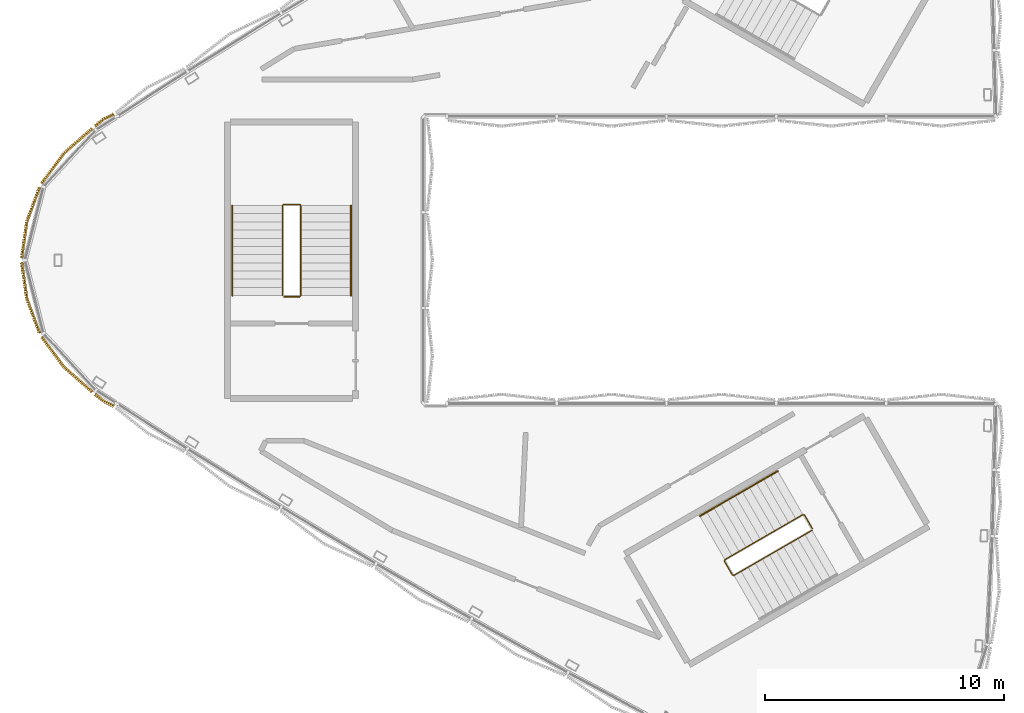
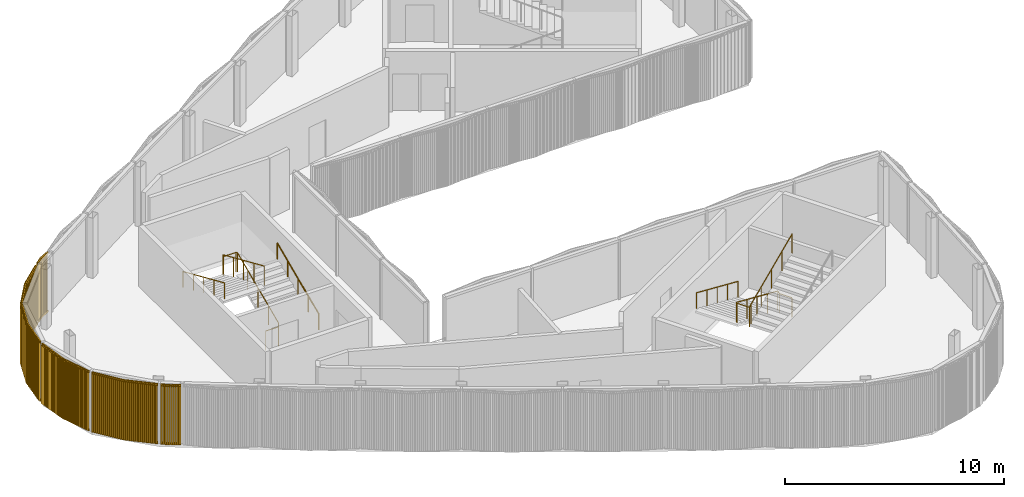
# One storey, part 9 of 16: 6 coverings, 5 railings.
"""IFC4 building model written with IfcOpenShell, lengths in metres."""

from ifc_helpers import new_model, si_unit, direction, frame, frame_2d, origin, origin_2d, place, context, subcontext, project, spatial, rectangle, circle, extrude, source, transform, mapped, material, type_object, element, save


model = new_model("IFC4")

# Units and contexts
model_context = context("Model", 3, precision=1e-05, world=origin(), true_north=direction((0.0, 1.0)))
body_context = subcontext(model_context, "Body", "Model", "MODEL_VIEW")
ifc_project = project(units=[si_unit("LENGTHUNIT", "METRE"), si_unit("AREAUNIT", "SQUARE_METRE"), si_unit("VOLUMEUNIT", "CUBIC_METRE"), si_unit("PLANEANGLEUNIT", "RADIAN"), si_unit("MASSUNIT", "GRAM", prefix="KILO")], contexts=[model_context])

# Site, building, storey
site_placement = place(None, origin())
site = spatial("IfcSite", under=ifc_project, at=site_placement, CompositionType="ELEMENT")
building_placement = place(site_placement, origin())
building = spatial("IfcBuilding", under=site, at=building_placement, Name="Tamra Quay Hotel Tower", CompositionType="ELEMENT")
storey_placement = place(building_placement, frame((0.0, 0.0, 324.199951171875)))
storey = spatial("IfcBuildingStorey", under=building, at=storey_placement, Name="Roof crown 2", CompositionType="ELEMENT", Elevation=324.199951171875)

# Railings
ifc_material_1 = material(Name="Stair guard 1100")
railing_type_1 = type_object("IfcRailingType", Name="Stair guard 1100", PredefinedType="GUARDRAIL", material=ifc_material_1)
railing_1_placement = place(storey_placement, frame((-13.84130859375, -1.530029296875, 0.0)))
element("IfcRailing", 1, at=railing_1_placement, inside=storey, type_object=railing_type_1, Name="GR", PredefinedType="GUARDRAIL", context=body_context, shape_type="SweptSolid", body=[
    extrude(circle(Radius=0.02392578125, at=origin_2d()), frame((0.0, 0.0, 1.076171875), z_axis=(1.0, 0.0, 0.0), x_axis=(0.0, 1.0, 0.0)), (0.0, 0.0, 1.0), 0.658935546875),
    extrude(circle(Radius=0.02392578125, at=origin_2d()), frame((0.658935546875, 0.0, 1.076171875), z_axis=(0.301511344578, 0.301511344578, 0.904534033733), x_axis=(-0.707106781187, 0.707106781187, 0.0)), (0.0, 0.0, 1.0), 0.166015625),
    extrude(circle(Radius=0.02392578125, at=origin_2d()), frame((0.708984375, 0.050048828125, 1.22607421875), z_axis=(0.0, 0.915795495799, 0.401644880304), x_axis=(-1.0, 0.0, 0.0)), (0.0, 0.0, 1.0), 4.10791015625),
    extrude(circle(Radius=0.02392578125, at=origin_2d()), frame((0.708984375, 3.81201171875, 2.8759765625), z_axis=(-0.708833529934, 0.705375805398, 0.0), x_axis=(-0.705375805398, -0.708833529934, 0.0)), (0.0, 0.0, 1.0), 0.070556640625),
    extrude(circle(Radius=0.02392578125, at=origin_2d()), frame((0.658935546875, 3.86181640625, 2.8759765625), z_axis=(-1.0, 0.0, 0.0), x_axis=(0.0, -1.0, 0.0)), (0.0, 0.0, 1.0), 0.658935546875),
    extrude(circle(Radius=0.02392578125, at=origin_2d()), frame((0.0, 3.86181640625, 2.8759765625), z_axis=(-0.302046947789, -0.300573548044, 0.904667443621), x_axis=(0.705375805398, -0.708833529934, 0.0)), (0.0, 0.0, 1.0), 0.165771484375),
    extrude(circle(Radius=0.02392578125, at=origin_2d()), frame((-0.050048828125, 3.81201171875, 3.02587890625), z_axis=(0.0, -0.915773634228, 0.401694723457), x_axis=(1.0, 0.0, 0.0)), (0.0, 0.0, 1.0), 4.10791015625),
    extrude(circle(Radius=0.02099609375, at=origin_2d()), origin(), (0.0, 0.0, 1.0), 1.052001953125),
    extrude(circle(Radius=0.02099609375, at=origin_2d()), frame((0.658935546875, 0.0, 0.0)), (0.0, 0.0, 1.0), 1.052001953125),
    extrude(circle(Radius=0.02099609375, at=origin_2d()), frame((0.708984375, 0.050048828125, 0.150146484375)), (0.0, 0.0, 1.0), 1.052001953125),
    extrude(circle(Radius=0.02099609375, at=origin_2d()), frame((0.708984375, 0.990478515625, 0.5625)), (0.0, 0.0, 1.0), 1.052001953125),
    extrude(circle(Radius=0.02099609375, at=origin_2d()), frame((0.708984375, 1.93115234375, 0.97509765625)), (0.0, 0.0, 1.0), 1.052001953125),
    extrude(circle(Radius=0.02099609375, at=origin_2d()), frame((0.708984375, 2.87158203125, 1.3876953125)), (0.0, 0.0, 1.0), 1.052001953125),
    extrude(circle(Radius=0.02099609375, at=origin_2d()), frame((0.708984375, 3.81201171875, 1.800048828125)), (0.0, 0.0, 1.0), 1.052001953125),
    extrude(circle(Radius=0.02099609375, at=origin_2d()), frame((0.658935546875, 3.86181640625, 1.800048828125)), (0.0, 0.0, 1.0), 1.052001953125),
    extrude(circle(Radius=0.02099609375, at=origin_2d()), frame((0.0, 3.86181640625, 1.800048828125)), (0.0, 0.0, 1.0), 1.052001953125),
    extrude(circle(Radius=0.02099609375, at=origin_2d()), frame((-0.050048828125, 3.81201171875, 1.949951171875)), (0.0, 0.0, 1.0), 1.052001953125),
    extrude(circle(Radius=0.02099609375, at=origin_2d()), frame((-0.050048828125, 2.87158203125, 2.362548828125)), (0.0, 0.0, 1.0), 1.052001953125),
    extrude(circle(Radius=0.02099609375, at=origin_2d()), frame((-0.050048828125, 1.93115234375, 2.77490234375)), (0.0, 0.0, 1.0), 1.052001953125),
    extrude(circle(Radius=0.02099609375, at=origin_2d()), frame((-0.050048828125, 0.990478515625, 3.1875)), (0.0, 0.0, 1.0), 1.052001953125),
    extrude(circle(Radius=0.02099609375, at=origin_2d()), frame((-0.050048828125, 0.050048828125, 3.60009765625)), (0.0, 0.0, 1.0), 1.052001953125),
])
railing_2_placement = place(storey_placement, frame((8.245849609375, -11.221923828125, 0.0)))
element("IfcRailing", 2, at=railing_2_placement, inside=storey, type_object=railing_type_1, Name="GR", PredefinedType="GUARDRAIL", context=body_context, shape_type="SweptSolid", body=[
    extrude(circle(Radius=0.02392578125, at=origin_2d()), frame((0.0, 0.0, 1.076171875), z_axis=(-0.500043078269, 0.866000531106, 0.0), x_axis=(-0.866000531106, -0.500043078269, 0.0)), (0.0, 0.0, 1.0), 0.6591796875),
    extrude(circle(Radius=0.02392578125, at=origin_2d()), frame((-0.32958984375, 0.57080078125, 1.076171875), z_axis=(-0.411831509231, 0.110312011401, 0.90455849349), x_axis=(-0.258736085224, -0.965948051503, 0.0)), (0.0, 0.0, 1.0), 0.166015625),
    extrude(circle(Radius=0.02392578125, at=origin_2d()), frame((-0.39794921875, 0.589111328125, 1.22607421875), z_axis=(-0.793100512587, -0.457912285461, 0.401631567183), x_axis=(0.500012686397, -0.866018079166, 0.0)), (0.0, 0.0, 1.0), 4.10791015625),
    extrude(circle(Radius=0.02392578125, at=origin_2d()), frame((-3.656005859375, -1.2919921875, 2.8759765625), z_axis=(-0.256368644879, -0.966579080015, 0.0), x_axis=(0.966579080015, -0.256368644879, 0.0)), (0.0, 0.0, 1.0), 0.070556640625),
    extrude(circle(Radius=0.02392578125, at=origin_2d()), frame((-3.674072265625, -1.360107421875, 2.8759765625), z_axis=(0.499765215335, -0.866160914346, 0.0), x_axis=(0.866160914346, 0.499765215335, 0.0)), (0.0, 0.0, 1.0), 0.658935546875),
    extrude(circle(Radius=0.02392578125, at=origin_2d()), frame((-3.3447265625, -1.930908203125, 2.8759765625), z_axis=(0.41238007866, -0.110458949641, 0.904290601062), x_axis=(0.258736085224, 0.965948051503, 0.0)), (0.0, 0.0, 1.0), 0.165771484375),
    extrude(circle(Radius=0.02392578125, at=origin_2d()), frame((-3.2763671875, -1.94921875, 3.02587890625), z_axis=(0.793081581205, 0.457901355053, 0.401681409319), x_axis=(-0.500012686397, 0.866018079166, 0.0)), (0.0, 0.0, 1.0), 4.108154296875),
    extrude(circle(Radius=0.02099609375, at=origin_2d()), origin(), (0.0, 0.0, 1.0), 1.052001953125),
    extrude(circle(Radius=0.02099609375, at=origin_2d()), frame((-0.32958984375, 0.57080078125, 0.0)), (0.0, 0.0, 1.0), 1.052001953125),
    extrude(circle(Radius=0.02099609375, at=origin_2d()), frame((-0.39794921875, 0.589111328125, 0.150146484375)), (0.0, 0.0, 1.0), 1.052001953125),
    extrude(circle(Radius=0.02099609375, at=origin_2d()), frame((-1.21240234375, 0.118896484375, 0.5625)), (0.0, 0.0, 1.0), 1.052001953125),
    extrude(circle(Radius=0.02099609375, at=origin_2d()), frame((-2.02685546875, -0.3515625, 0.97509765625)), (0.0, 0.0, 1.0), 1.052001953125),
    extrude(circle(Radius=0.02099609375, at=origin_2d()), frame((-2.841552734375, -0.82177734375, 1.3876953125)), (0.0, 0.0, 1.0), 1.052001953125),
    extrude(circle(Radius=0.02099609375, at=origin_2d()), frame((-3.656005859375, -1.2919921875, 1.800048828125)), (0.0, 0.0, 1.0), 1.052001953125),
    extrude(circle(Radius=0.02099609375, at=origin_2d()), frame((-3.674072265625, -1.360107421875, 1.800048828125)), (0.0, 0.0, 1.0), 1.052001953125),
    extrude(circle(Radius=0.02099609375, at=origin_2d()), frame((-3.3447265625, -1.930908203125, 1.800048828125)), (0.0, 0.0, 1.0), 1.052001953125),
    extrude(circle(Radius=0.02099609375, at=origin_2d()), frame((-3.2763671875, -1.94921875, 1.949951171875)), (0.0, 0.0, 1.0), 1.052001953125),
    extrude(circle(Radius=0.02099609375, at=origin_2d()), frame((-2.4619140625, -1.47900390625, 2.362548828125)), (0.0, 0.0, 1.0), 1.052001953125),
    extrude(circle(Radius=0.02099609375, at=origin_2d()), frame((-1.6474609375, -1.0087890625, 2.77490234375)), (0.0, 0.0, 1.0), 1.052001953125),
    extrude(circle(Radius=0.02099609375, at=origin_2d()), frame((-0.832763671875, -0.538330078125, 3.1875)), (0.0, 0.0, 1.0), 1.052001953125),
    extrude(circle(Radius=0.02099609375, at=origin_2d()), frame((-0.018310546875, -0.068115234375, 3.60009765625)), (0.0, 0.0, 1.0), 1.052001953125),
])
ifc_material_2 = material(Name="Stair handrail 900")
railing_type_2 = type_object("IfcRailingType", Name="Stair handrail 900", PredefinedType="HANDRAIL", material=ifc_material_2)
railing_3_placement = place(storey_placement, frame((-11.0322265625, -1.47998046875, 0.150146484375)))
element("IfcRailing", 3, at=railing_3_placement, inside=storey, type_object=railing_type_2, Name="HR", PredefinedType="HANDRAIL", context=body_context, shape_type="SweptSolid", body=[
    extrude(circle(Radius=0.02392578125, at=origin_2d()), frame((0.0, 0.0, 0.8759765625), z_axis=(0.0, 0.915795495799, 0.401644880304), x_axis=(-1.0, 0.0, 0.0)), (0.0, 0.0, 1.0), 4.10791015625),
    extrude(circle(Radius=0.02099609375, at=origin_2d()), origin(), (0.0, 0.0, 1.0), 0.851806640625),
    extrude(circle(Radius=0.02099609375, at=origin_2d()), frame((0.0, 0.9404296875, 0.41259765625)), (0.0, 0.0, 1.0), 0.851806640625),
    extrude(circle(Radius=0.02099609375, at=origin_2d()), frame((0.0, 1.880859375, 0.824951171875)), (0.0, 0.0, 1.0), 0.851806640625),
    extrude(circle(Radius=0.02099609375, at=origin_2d()), frame((0.0, 2.821533203125, 1.2373046875)), (0.0, 0.0, 1.0), 0.851806640625),
    extrude(circle(Radius=0.02099609375, at=origin_2d()), frame((0.0, 3.761962890625, 1.64990234375)), (0.0, 0.0, 1.0), 0.851806640625),
])
railing_4_placement = place(storey_placement, frame((-15.9912109375, 2.281982421875, 1.949951171875)))
element("IfcRailing", 4, at=railing_4_placement, inside=storey, type_object=railing_type_2, Name="HR", PredefinedType="HANDRAIL", context=body_context, shape_type="SweptSolid", body=[
    extrude(circle(Radius=0.02392578125, at=origin_2d()), frame((0.0, 0.0, 0.8759765625), z_axis=(0.0, -0.915773634228, 0.401694723457), x_axis=(1.0, 0.0, 0.0)), (0.0, 0.0, 1.0), 4.10791015625),
    extrude(circle(Radius=0.02099609375, at=origin_2d()), origin(), (0.0, 0.0, 1.0), 0.851806640625),
    extrude(circle(Radius=0.02099609375, at=origin_2d()), frame((0.0, -0.9404296875, 0.41259765625)), (0.0, 0.0, 1.0), 0.851806640625),
    extrude(circle(Radius=0.02099609375, at=origin_2d()), frame((0.0, -1.880859375, 0.8251953125)), (0.0, 0.0, 1.0), 0.851806640625),
    extrude(circle(Radius=0.02099609375, at=origin_2d()), frame((0.0, -2.821533203125, 1.237548828125)), (0.0, 0.0, 1.0), 0.851806640625),
    extrude(circle(Radius=0.02099609375, at=origin_2d()), frame((0.0, -3.761962890625, 1.650146484375)), (0.0, 0.0, 1.0), 0.851806640625),
])
railing_5_placement = place(storey_placement, frame((6.7978515625, -8.814208984375, 0.150146484375)))
element("IfcRailing", 5, at=railing_5_placement, inside=storey, type_object=railing_type_2, Name="HR", PredefinedType="HANDRAIL", context=body_context, shape_type="SweptSolid", body=[
    extrude(circle(Radius=0.02392578125, at=origin_2d()), frame((0.0, 0.0, 0.8759765625), z_axis=(-0.79310004713, -0.457886897714, 0.401661429744), x_axis=(0.499992114976, -0.866029956157, 0.0)), (0.0, 0.0, 1.0), 4.107666015625),
    extrude(circle(Radius=0.02099609375, at=origin_2d()), origin(), (0.0, 0.0, 1.0), 0.851806640625),
    extrude(circle(Radius=0.02099609375, at=origin_2d()), frame((-0.814453125, -0.47021484375, 0.41259765625)), (0.0, 0.0, 1.0), 0.851806640625),
    extrude(circle(Radius=0.02099609375, at=origin_2d()), frame((-1.62890625, -0.9404296875, 0.824951171875)), (0.0, 0.0, 1.0), 0.851806640625),
    extrude(circle(Radius=0.02099609375, at=origin_2d()), frame((-2.443359375, -1.41064453125, 1.2373046875)), (0.0, 0.0, 1.0), 0.851806640625),
    extrude(circle(Radius=0.02099609375, at=origin_2d()), frame((-3.2578125, -1.880859375, 1.64990234375)), (0.0, 0.0, 1.0), 0.851806640625),
])

# Coverings
ifc_material_3 = material(Name="Terracotta baguette extruded", Category="masonry")
covering_type = type_object("IfcCoveringType", Name="BAGUETTE SCREEN CROWN H3350", PredefinedType="USERDEFINED", material=ifc_material_3)
shared_shape_1 = source(origin(), body_context, "Body", "SweptSolid", [
    extrude(rectangle(XDim=1.5810546875, YDim=0.06005859375, at=frame_2d((0.79052734375, 0.030029296875))), frame((-1.578857421875, -0.0576171875, -0.1201171875), z_axis=(0.0, 0.0, 1.0), x_axis=(0.994521895368, -0.104528463268, 0.0)), (0.0, 0.0, 1.0), 0.1201171875),
    extrude(rectangle(XDim=1.5810546875, YDim=0.06005859375, at=frame_2d((0.79052734375, 0.030029296875))), frame((-1.578857421875, -0.0576171875, -3.35009765625), z_axis=(0.0, 0.0, 1.0), x_axis=(0.994521895368, -0.104528463268, 0.0)), (0.0, 0.0, 1.0), 0.1201171875),
    extrude(rectangle(XDim=0.070068359375, YDim=0.10009765625, at=frame_2d((0.03515625, 0.050048828125))), frame((-1.558349609375, -0.133056640625, -3.2900390625)), (0.0, 0.0, 1.0), 3.22998046875),
    extrude(rectangle(XDim=0.070068359375, YDim=0.10009765625, at=frame_2d((0.03515625, 0.050048828125))), frame((-1.4599609375, -0.1435546875, -3.2900390625)), (0.0, 0.0, 1.0), 3.22998046875),
    extrude(rectangle(XDim=0.070068359375, YDim=0.10009765625, at=frame_2d((0.03515625, 0.050048828125))), frame((-1.36181640625, -0.15380859375, -3.2900390625)), (0.0, 0.0, 1.0), 3.22998046875),
    extrude(rectangle(XDim=0.070068359375, YDim=0.10009765625, at=frame_2d((0.03515625, 0.050048828125))), frame((-1.263427734375, -0.1640625, -3.2900390625)), (0.0, 0.0, 1.0), 3.22998046875),
    extrude(rectangle(XDim=0.070068359375, YDim=0.10009765625, at=frame_2d((0.03515625, 0.050048828125))), frame((-1.165283203125, -0.174560546875, -3.2900390625)), (0.0, 0.0, 1.0), 3.22998046875),
    extrude(rectangle(XDim=0.070068359375, YDim=0.10009765625, at=frame_2d((0.03515625, 0.050048828125))), frame((-1.06689453125, -0.184814453125, -3.2900390625)), (0.0, 0.0, 1.0), 3.22998046875),
    extrude(rectangle(XDim=0.070068359375, YDim=0.10009765625, at=frame_2d((0.03515625, 0.050048828125))), frame((-0.96875, -0.195068359375, -3.2900390625)), (0.0, 0.0, 1.0), 3.22998046875),
    extrude(rectangle(XDim=0.070068359375, YDim=0.10009765625, at=frame_2d((0.03515625, 0.050048828125))), frame((-0.870361328125, -0.20556640625, -3.2900390625)), (0.0, 0.0, 1.0), 3.22998046875),
    extrude(rectangle(XDim=0.070068359375, YDim=0.10009765625, at=frame_2d((0.03515625, 0.050048828125))), frame((-0.772216796875, -0.2158203125, -3.2900390625)), (0.0, 0.0, 1.0), 3.22998046875),
    extrude(rectangle(XDim=0.070068359375, YDim=0.10009765625, at=frame_2d((0.03515625, 0.050048828125))), frame((-0.673828125, -0.22607421875, -3.2900390625)), (0.0, 0.0, 1.0), 3.22998046875),
    extrude(rectangle(XDim=0.070068359375, YDim=0.10009765625, at=frame_2d((0.03515625, 0.050048828125))), frame((-0.575439453125, -0.236572265625, -3.2900390625)), (0.0, 0.0, 1.0), 3.22998046875),
    extrude(rectangle(XDim=0.070068359375, YDim=0.10009765625, at=frame_2d((0.03515625, 0.050048828125))), frame((-0.477294921875, -0.246826171875, -3.2900390625)), (0.0, 0.0, 1.0), 3.22998046875),
    extrude(rectangle(XDim=0.070068359375, YDim=0.10009765625, at=frame_2d((0.03515625, 0.050048828125))), frame((-0.37890625, -0.257080078125, -3.2900390625)), (0.0, 0.0, 1.0), 3.22998046875),
    extrude(rectangle(XDim=0.070068359375, YDim=0.10009765625, at=frame_2d((0.03515625, 0.050048828125))), frame((-0.28076171875, -0.267333984375, -3.2900390625)), (0.0, 0.0, 1.0), 3.22998046875),
    extrude(rectangle(XDim=0.070068359375, YDim=0.10009765625, at=frame_2d((0.03515625, 0.050048828125))), frame((-0.182373046875, -0.27783203125, -3.2900390625)), (0.0, 0.0, 1.0), 3.22998046875),
    extrude(rectangle(XDim=0.070068359375, YDim=0.10009765625, at=frame_2d((0.03515625, 0.050048828125))), frame((-0.084228515625, -0.2880859375, -3.2900390625)), (0.0, 0.0, 1.0), 3.22998046875),
    extrude(rectangle(XDim=1.5810546875, YDim=0.06005859375, at=frame_2d((0.79052734375, 0.030029296875))), frame((0.00634765625, -0.222900390625, -0.1201171875), z_axis=(0.0, 0.0, 1.0), x_axis=(0.994521895368, 0.104528463268, 0.0)), (0.0, 0.0, 1.0), 0.1201171875),
    extrude(rectangle(XDim=1.5810546875, YDim=0.06005859375, at=frame_2d((0.79052734375, 0.030029296875))), frame((0.00634765625, -0.222900390625, -3.35009765625), z_axis=(0.0, 0.0, 1.0), x_axis=(0.994521895368, 0.104528463268, 0.0)), (0.0, 0.0, 1.0), 0.1201171875),
    extrude(rectangle(XDim=0.070068359375, YDim=0.10009765625, at=frame_2d((0.03515625, 0.050048828125))), frame((0.01416015625, -0.2880859375, -3.2900390625)), (0.0, 0.0, 1.0), 3.22998046875),
    extrude(rectangle(XDim=0.070068359375, YDim=0.10009765625, at=frame_2d((0.03515625, 0.050048828125))), frame((0.1123046875, -0.27783203125, -3.2900390625)), (0.0, 0.0, 1.0), 3.22998046875),
    extrude(rectangle(XDim=0.070068359375, YDim=0.10009765625, at=frame_2d((0.03515625, 0.050048828125))), frame((0.210693359375, -0.267333984375, -3.2900390625)), (0.0, 0.0, 1.0), 3.22998046875),
    extrude(rectangle(XDim=0.070068359375, YDim=0.10009765625, at=frame_2d((0.03515625, 0.050048828125))), frame((0.30908203125, -0.257080078125, -3.2900390625)), (0.0, 0.0, 1.0), 3.22998046875),
    extrude(rectangle(XDim=0.070068359375, YDim=0.10009765625, at=frame_2d((0.03515625, 0.050048828125))), frame((0.4072265625, -0.246826171875, -3.2900390625)), (0.0, 0.0, 1.0), 3.22998046875),
    extrude(rectangle(XDim=0.070068359375, YDim=0.10009765625, at=frame_2d((0.03515625, 0.050048828125))), frame((0.505615234375, -0.236572265625, -3.2900390625)), (0.0, 0.0, 1.0), 3.22998046875),
    extrude(rectangle(XDim=0.070068359375, YDim=0.10009765625, at=frame_2d((0.03515625, 0.050048828125))), frame((0.603759765625, -0.22607421875, -3.2900390625)), (0.0, 0.0, 1.0), 3.22998046875),
    extrude(rectangle(XDim=0.070068359375, YDim=0.10009765625, at=frame_2d((0.03515625, 0.050048828125))), frame((0.7021484375, -0.2158203125, -3.2900390625)), (0.0, 0.0, 1.0), 3.22998046875),
    extrude(rectangle(XDim=0.070068359375, YDim=0.10009765625, at=frame_2d((0.03515625, 0.050048828125))), frame((0.80029296875, -0.20556640625, -3.2900390625)), (0.0, 0.0, 1.0), 3.22998046875),
    extrude(rectangle(XDim=0.070068359375, YDim=0.10009765625, at=frame_2d((0.03515625, 0.050048828125))), frame((0.898681640625, -0.195068359375, -3.2900390625)), (0.0, 0.0, 1.0), 3.22998046875),
    extrude(rectangle(XDim=0.070068359375, YDim=0.10009765625, at=frame_2d((0.03515625, 0.050048828125))), frame((0.9970703125, -0.184814453125, -3.2900390625)), (0.0, 0.0, 1.0), 3.22998046875),
    extrude(rectangle(XDim=0.070068359375, YDim=0.10009765625, at=frame_2d((0.03515625, 0.050048828125))), frame((1.09521484375, -0.174560546875, -3.2900390625)), (0.0, 0.0, 1.0), 3.22998046875),
    extrude(rectangle(XDim=0.070068359375, YDim=0.10009765625, at=frame_2d((0.03515625, 0.050048828125))), frame((1.193603515625, -0.1640625, -3.2900390625)), (0.0, 0.0, 1.0), 3.22998046875),
    extrude(rectangle(XDim=0.070068359375, YDim=0.10009765625, at=frame_2d((0.03515625, 0.050048828125))), frame((1.291748046875, -0.15380859375, -3.2900390625)), (0.0, 0.0, 1.0), 3.22998046875),
    extrude(rectangle(XDim=0.070068359375, YDim=0.10009765625, at=frame_2d((0.03515625, 0.050048828125))), frame((1.39013671875, -0.1435546875, -3.2900390625)), (0.0, 0.0, 1.0), 3.22998046875),
    extrude(rectangle(XDim=0.070068359375, YDim=0.10009765625, at=frame_2d((0.03515625, 0.050048828125))), frame((1.48828125, -0.133056640625, -3.2900390625)), (0.0, 0.0, 1.0), 3.22998046875),
])
for number, where, z_axis, x_axis, name in (
    (6, (-22.856201171875, 4.316650390625, 3.35009765625), (0.0, 0.0, 1.0), (-0.67737593284, -0.735637033875, 0.0), "Baguette screen Roof crown 2.C.f11"),
    (7, (-22.856201171875, -4.316650390625, 3.35009765625), (0.0, 0.0, 1.0), (0.67737593284, -0.735637033875, 0.0), "Baguette screen Roof crown 2.C.f14"),
):
    element("IfcCovering", number, at=place(storey_placement, frame(where, z_axis=z_axis, x_axis=x_axis)), inside=storey, type_object=covering_type, Name=name, ObjectType="BAGUETTE SCREEN", PredefinedType="USERDEFINED", context=body_context, shape_type="MappedRepresentation", body=[
        mapped(shared_shape_1, transform((0.0, 0.0, 0.0), scale=1.0)),
    ])
shared_shape_2 = source(origin(), body_context, "Body", "SweptSolid", [
    extrude(rectangle(XDim=1.541015625, YDim=0.06005859375, at=frame_2d((0.7705078125, 0.030029296875))), frame((-1.538818359375, -0.0576171875, -0.1201171875), z_axis=(0.0, 0.0, 1.0), x_axis=(0.994521895368, -0.104528463268, 0.0)), (0.0, 0.0, 1.0), 0.1201171875),
    extrude(rectangle(XDim=1.541015625, YDim=0.06005859375, at=frame_2d((0.7705078125, 0.030029296875))), frame((-1.538818359375, -0.0576171875, -3.35009765625), z_axis=(0.0, 0.0, 1.0), x_axis=(0.994521895368, -0.104528463268, 0.0)), (0.0, 0.0, 1.0), 0.1201171875),
    extrude(rectangle(XDim=0.070068359375, YDim=0.10009765625, at=frame_2d((0.03515625, 0.050048828125))), frame((-1.516357421875, -0.13330078125, -3.2900390625)), (0.0, 0.0, 1.0), 3.22998046875),
    extrude(rectangle(XDim=0.070068359375, YDim=0.10009765625, at=frame_2d((0.03515625, 0.050048828125))), frame((-1.414306640625, -0.14404296875, -3.2900390625)), (0.0, 0.0, 1.0), 3.22998046875),
    extrude(rectangle(XDim=0.070068359375, YDim=0.10009765625, at=frame_2d((0.03515625, 0.050048828125))), frame((-1.31201171875, -0.15478515625, -3.2900390625)), (0.0, 0.0, 1.0), 3.22998046875),
    extrude(rectangle(XDim=0.070068359375, YDim=0.10009765625, at=frame_2d((0.03515625, 0.050048828125))), frame((-1.2099609375, -0.16552734375, -3.2900390625)), (0.0, 0.0, 1.0), 3.22998046875),
    extrude(rectangle(XDim=0.070068359375, YDim=0.10009765625, at=frame_2d((0.03515625, 0.050048828125))), frame((-1.107666015625, -0.17626953125, -3.2900390625)), (0.0, 0.0, 1.0), 3.22998046875),
    extrude(rectangle(XDim=0.070068359375, YDim=0.10009765625, at=frame_2d((0.03515625, 0.050048828125))), frame((-1.005615234375, -0.18701171875, -3.2900390625)), (0.0, 0.0, 1.0), 3.22998046875),
    extrude(rectangle(XDim=0.070068359375, YDim=0.10009765625, at=frame_2d((0.03515625, 0.050048828125))), frame((-0.9033203125, -0.19775390625, -3.2900390625)), (0.0, 0.0, 1.0), 3.22998046875),
    extrude(rectangle(XDim=0.070068359375, YDim=0.10009765625, at=frame_2d((0.03515625, 0.050048828125))), frame((-0.80126953125, -0.20849609375, -3.2900390625)), (0.0, 0.0, 1.0), 3.22998046875),
    extrude(rectangle(XDim=0.070068359375, YDim=0.10009765625, at=frame_2d((0.03515625, 0.050048828125))), frame((-0.698974609375, -0.21923828125, -3.2900390625)), (0.0, 0.0, 1.0), 3.22998046875),
    extrude(rectangle(XDim=0.070068359375, YDim=0.10009765625, at=frame_2d((0.03515625, 0.050048828125))), frame((-0.596923828125, -0.22998046875, -3.2900390625)), (0.0, 0.0, 1.0), 3.22998046875),
    extrude(rectangle(XDim=0.070068359375, YDim=0.10009765625, at=frame_2d((0.03515625, 0.050048828125))), frame((-0.49462890625, -0.24072265625, -3.2900390625)), (0.0, 0.0, 1.0), 3.22998046875),
    extrude(rectangle(XDim=0.070068359375, YDim=0.10009765625, at=frame_2d((0.03515625, 0.050048828125))), frame((-0.392578125, -0.25146484375, -3.2900390625)), (0.0, 0.0, 1.0), 3.22998046875),
    extrude(rectangle(XDim=0.070068359375, YDim=0.10009765625, at=frame_2d((0.03515625, 0.050048828125))), frame((-0.29052734375, -0.26220703125, -3.2900390625)), (0.0, 0.0, 1.0), 3.22998046875),
    extrude(rectangle(XDim=0.070068359375, YDim=0.10009765625, at=frame_2d((0.03515625, 0.050048828125))), frame((-0.188232421875, -0.27294921875, -3.2900390625)), (0.0, 0.0, 1.0), 3.22998046875),
    extrude(rectangle(XDim=0.070068359375, YDim=0.10009765625, at=frame_2d((0.03515625, 0.050048828125))), frame((-0.086181640625, -0.28369140625, -3.2900390625)), (0.0, 0.0, 1.0), 3.22998046875),
    extrude(rectangle(XDim=1.541015625, YDim=0.06005859375, at=frame_2d((0.7705078125, 0.030029296875))), frame((0.00634765625, -0.21875, -0.1201171875), z_axis=(0.0, 0.0, 1.0), x_axis=(0.994521895368, 0.104528463268, 0.0)), (0.0, 0.0, 1.0), 0.1201171875),
    extrude(rectangle(XDim=1.541015625, YDim=0.06005859375, at=frame_2d((0.7705078125, 0.030029296875))), frame((0.00634765625, -0.21875, -3.35009765625), z_axis=(0.0, 0.0, 1.0), x_axis=(0.994521895368, 0.104528463268, 0.0)), (0.0, 0.0, 1.0), 0.1201171875),
    extrude(rectangle(XDim=0.070068359375, YDim=0.10009765625, at=frame_2d((0.03515625, 0.050048828125))), frame((0.01611328125, -0.28369140625, -3.2900390625)), (0.0, 0.0, 1.0), 3.22998046875),
    extrude(rectangle(XDim=0.070068359375, YDim=0.10009765625, at=frame_2d((0.03515625, 0.050048828125))), frame((0.1181640625, -0.27294921875, -3.2900390625)), (0.0, 0.0, 1.0), 3.22998046875),
    extrude(rectangle(XDim=0.070068359375, YDim=0.10009765625, at=frame_2d((0.03515625, 0.050048828125))), frame((0.220458984375, -0.26220703125, -3.2900390625)), (0.0, 0.0, 1.0), 3.22998046875),
    extrude(rectangle(XDim=0.070068359375, YDim=0.10009765625, at=frame_2d((0.03515625, 0.050048828125))), frame((0.322509765625, -0.25146484375, -3.2900390625)), (0.0, 0.0, 1.0), 3.22998046875),
    extrude(rectangle(XDim=0.070068359375, YDim=0.10009765625, at=frame_2d((0.03515625, 0.050048828125))), frame((0.4248046875, -0.24072265625, -3.2900390625)), (0.0, 0.0, 1.0), 3.22998046875),
    extrude(rectangle(XDim=0.070068359375, YDim=0.10009765625, at=frame_2d((0.03515625, 0.050048828125))), frame((0.52685546875, -0.22998046875, -3.2900390625)), (0.0, 0.0, 1.0), 3.22998046875),
    extrude(rectangle(XDim=0.070068359375, YDim=0.10009765625, at=frame_2d((0.03515625, 0.050048828125))), frame((0.629150390625, -0.21923828125, -3.2900390625)), (0.0, 0.0, 1.0), 3.22998046875),
    extrude(rectangle(XDim=0.070068359375, YDim=0.10009765625, at=frame_2d((0.03515625, 0.050048828125))), frame((0.731201171875, -0.20849609375, -3.2900390625)), (0.0, 0.0, 1.0), 3.22998046875),
    extrude(rectangle(XDim=0.070068359375, YDim=0.10009765625, at=frame_2d((0.03515625, 0.050048828125))), frame((0.83349609375, -0.19775390625, -3.2900390625)), (0.0, 0.0, 1.0), 3.22998046875),
    extrude(rectangle(XDim=0.070068359375, YDim=0.10009765625, at=frame_2d((0.03515625, 0.050048828125))), frame((0.935546875, -0.18701171875, -3.2900390625)), (0.0, 0.0, 1.0), 3.22998046875),
    extrude(rectangle(XDim=0.070068359375, YDim=0.10009765625, at=frame_2d((0.03515625, 0.050048828125))), frame((1.037841796875, -0.17626953125, -3.2900390625)), (0.0, 0.0, 1.0), 3.22998046875),
    extrude(rectangle(XDim=0.070068359375, YDim=0.10009765625, at=frame_2d((0.03515625, 0.050048828125))), frame((1.139892578125, -0.16552734375, -3.2900390625)), (0.0, 0.0, 1.0), 3.22998046875),
    extrude(rectangle(XDim=0.070068359375, YDim=0.10009765625, at=frame_2d((0.03515625, 0.050048828125))), frame((1.2421875, -0.15478515625, -3.2900390625)), (0.0, 0.0, 1.0), 3.22998046875),
    extrude(rectangle(XDim=0.070068359375, YDim=0.10009765625, at=frame_2d((0.03515625, 0.050048828125))), frame((1.34423828125, -0.14404296875, -3.2900390625)), (0.0, 0.0, 1.0), 3.22998046875),
    extrude(rectangle(XDim=0.070068359375, YDim=0.10009765625, at=frame_2d((0.03515625, 0.050048828125))), frame((1.446533203125, -0.13330078125, -3.2900390625)), (0.0, 0.0, 1.0), 3.22998046875),
])
for number, where, z_axis, x_axis, name in (
    (8, (-24.36181640625, 1.5546875, 3.35009765625), (0.0, 0.0, 1.0), (-0.245526933255, -0.969389769415, 0.0), "Baguette screen Roof crown 2.C.f12"),
    (9, (-24.36181640625, -1.5546875, 3.35009765625), (0.0, 0.0, 1.0), (0.245526933255, -0.969389769415, 0.0), "Baguette screen Roof crown 2.C.f13"),
):
    element("IfcCovering", number, at=place(storey_placement, frame(where, z_axis=z_axis, x_axis=x_axis)), inside=storey, type_object=covering_type, Name=name, ObjectType="BAGUETTE SCREEN", PredefinedType="USERDEFINED", context=body_context, shape_type="MappedRepresentation", body=[
        mapped(shared_shape_2, transform((0.0, 0.0, 0.0), scale=1.0)),
    ])
shared_shape_3 = source(origin(), body_context, "Body", "SweptSolid", [
    extrude(rectangle(XDim=0.47509765625, YDim=0.06005859375, at=frame_2d((0.237548828125, 0.030029296875))), frame((-0.478759765625, -0.0576171875, -0.1201171875), z_axis=(0.0, 0.0, 1.0), x_axis=(0.994521895368, -0.104528463268, 0.0)), (0.0, 0.0, 1.0), 0.1201171875),
    extrude(rectangle(XDim=0.47509765625, YDim=0.06005859375, at=frame_2d((0.237548828125, 0.030029296875))), frame((-0.478759765625, -0.0576171875, -3.35009765625), z_axis=(0.0, 0.0, 1.0), x_axis=(0.994521895368, -0.104528463268, 0.0)), (0.0, 0.0, 1.0), 0.1201171875),
    extrude(rectangle(XDim=0.070068359375, YDim=0.10009765625, at=frame_2d((0.03515625, 0.050048828125))), frame((-0.460205078125, -0.133056640625, -3.2900390625)), (0.0, 0.0, 1.0), 3.22998046875),
    extrude(rectangle(XDim=0.070068359375, YDim=0.10009765625, at=frame_2d((0.03515625, 0.050048828125))), frame((-0.36572265625, -0.142822265625, -3.2900390625)), (0.0, 0.0, 1.0), 3.22998046875),
    extrude(rectangle(XDim=0.070068359375, YDim=0.10009765625, at=frame_2d((0.03515625, 0.050048828125))), frame((-0.271240234375, -0.15283203125, -3.2900390625)), (0.0, 0.0, 1.0), 3.22998046875),
    extrude(rectangle(XDim=0.070068359375, YDim=0.10009765625, at=frame_2d((0.03515625, 0.050048828125))), frame((-0.1767578125, -0.162841796875, -3.2900390625)), (0.0, 0.0, 1.0), 3.22998046875),
    extrude(rectangle(XDim=0.070068359375, YDim=0.10009765625, at=frame_2d((0.03515625, 0.050048828125))), frame((-0.082275390625, -0.172607421875, -3.2900390625)), (0.0, 0.0, 1.0), 3.22998046875),
    extrude(rectangle(XDim=0.47509765625, YDim=0.06005859375, at=frame_2d((0.237548828125, 0.030029296875))), frame((0.00634765625, -0.107421875, -0.1201171875), z_axis=(0.0, 0.0, 1.0), x_axis=(0.994521895368, 0.104528463268, 0.0)), (0.0, 0.0, 1.0), 0.1201171875),
    extrude(rectangle(XDim=0.47509765625, YDim=0.06005859375, at=frame_2d((0.237548828125, 0.030029296875))), frame((0.00634765625, -0.107421875, -3.35009765625), z_axis=(0.0, 0.0, 1.0), x_axis=(0.994521895368, 0.104528463268, 0.0)), (0.0, 0.0, 1.0), 0.1201171875),
    extrude(rectangle(XDim=0.070068359375, YDim=0.10009765625, at=frame_2d((0.03515625, 0.050048828125))), frame((0.01220703125, -0.172607421875, -3.2900390625)), (0.0, 0.0, 1.0), 3.22998046875),
    extrude(rectangle(XDim=0.070068359375, YDim=0.10009765625, at=frame_2d((0.03515625, 0.050048828125))), frame((0.106689453125, -0.162841796875, -3.2900390625)), (0.0, 0.0, 1.0), 3.22998046875),
    extrude(rectangle(XDim=0.070068359375, YDim=0.10009765625, at=frame_2d((0.03515625, 0.050048828125))), frame((0.201171875, -0.15283203125, -3.2900390625)), (0.0, 0.0, 1.0), 3.22998046875),
    extrude(rectangle(XDim=0.070068359375, YDim=0.10009765625, at=frame_2d((0.03515625, 0.050048828125))), frame((0.295654296875, -0.142822265625, -3.2900390625)), (0.0, 0.0, 1.0), 3.22998046875),
    extrude(rectangle(XDim=0.070068359375, YDim=0.10009765625, at=frame_2d((0.03515625, 0.050048828125))), frame((0.39013671875, -0.133056640625, -3.2900390625)), (0.0, 0.0, 1.0), 3.22998046875),
])
for number, where, z_axis, x_axis, name in (
    (10, (-21.305419921875, -5.80224609375, 3.35009765625), (0.0, 0.0, 1.0), (0.841664964506, -0.54000008104, 0.0), "Baguette screen Roof crown 2.C.f00"),
    (11, (-21.305419921875, 5.80224609375, 3.35009765625), (0.0, 0.0, 1.0), (-0.841664964506, -0.54000008104, 0.0), "Baguette screen Roof crown 2.C.f10"),
):
    element("IfcCovering", number, at=place(storey_placement, frame(where, z_axis=z_axis, x_axis=x_axis)), inside=storey, type_object=covering_type, Name=name, ObjectType="BAGUETTE SCREEN", PredefinedType="USERDEFINED", context=body_context, shape_type="MappedRepresentation", body=[
        mapped(shared_shape_3, transform((0.0, 0.0, 0.0), scale=1.0)),
    ])

save(model, "model.ifc")
